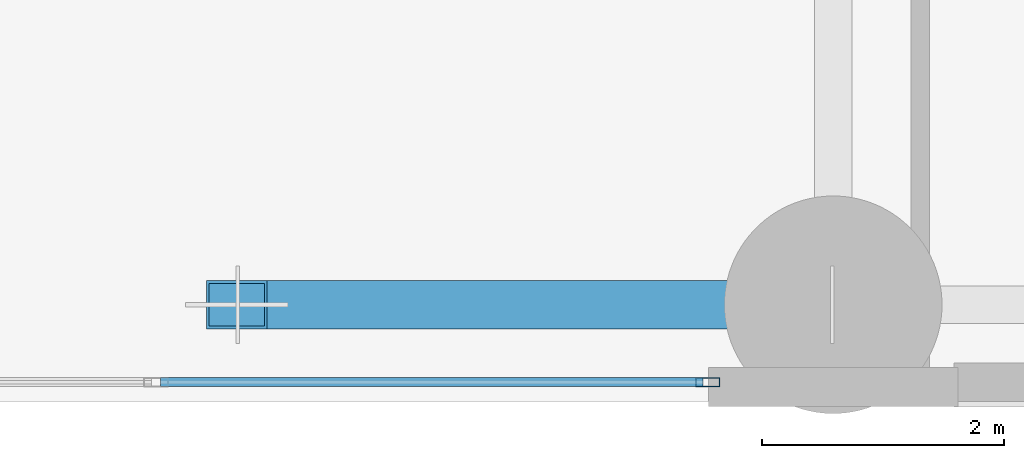
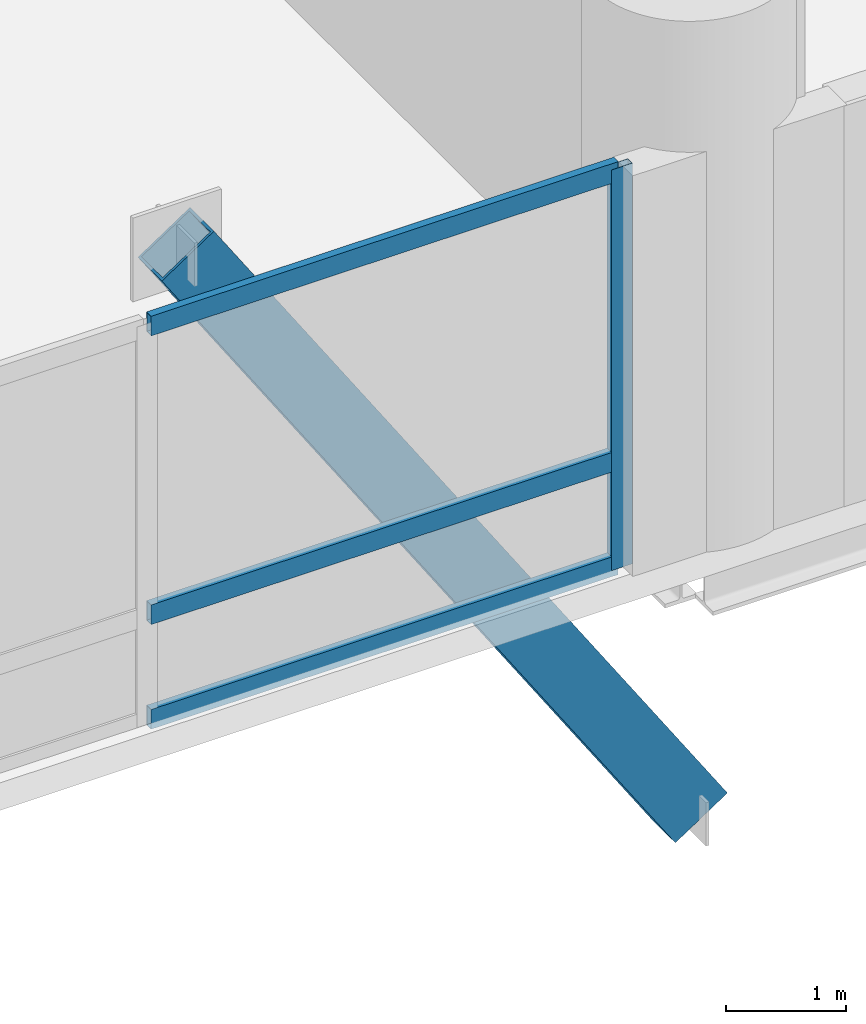
# One storey, part 13 of 40: 5 members, 1 element without a shape of its own.
"""IFC4 building model written with IfcOpenShell, lengths in metres."""

from ifc_helpers import new_model, si_unit, direction, frame, origin, origin_2d, place, context, subcontext, project, spatial, hollow_rectangle, extrude, material, layer, layer_set, material_profile, profile_set, type_object, element, aggregate, save


model = new_model("IFC4")

# Units and contexts
model_context = context("Model", 3, precision=1e-05, world=origin(), true_north=direction((0.0, 1.0)))
body_context = subcontext(model_context, "Body", "Model", "MODEL_VIEW")
ifc_project = project(units=[si_unit("LENGTHUNIT", "METRE"), si_unit("AREAUNIT", "SQUARE_METRE"), si_unit("VOLUMEUNIT", "CUBIC_METRE"), si_unit("PLANEANGLEUNIT", "RADIAN"), si_unit("MASSUNIT", "GRAM", prefix="KILO")], contexts=[model_context])

# Site, building, storey
site_placement = place(None, origin())
site = spatial("IfcSite", under=ifc_project, at=site_placement, CompositionType="ELEMENT")
building_placement = place(site_placement, origin())
building = spatial("IfcBuilding", under=site, at=building_placement, Name="Varnelok Gate Tower", CompositionType="ELEMENT")
storey_placement = place(building_placement, frame((0.0, 0.0, 5.39990234375)))
storey = spatial("IfcBuildingStorey", under=building, at=storey_placement, Name="L01", CompositionType="ELEMENT", Elevation=5.39990234375)

# Curtain wall, members
ifc_material_1 = material(Name="Anodized Aluminum Alloy 6063-T6", Category="aluminium")
ifc_layer = layer(ifc_material_1, 0.179931640625)
ifc_layer_set = layer_set([ifc_layer], Name="Anodized Aluminum Alloy 6063-T6")
curtain_wall_type = type_object("IfcCurtainWallType", Name="CW1-ARCH-PORTAL", PredefinedType="USERDEFINED", material=ifc_layer_set)
curtain_wall_placement = place(storey_placement, origin())
curtain_wall = element("IfcCurtainWall", 1, at=curtain_wall_placement, inside=storey, type_object=curtain_wall_type, Name="L01 Giant Arch Portal Glazed Curtain Wall", ObjectType="UNITISED CURTAIN WALL", PredefinedType="USERDEFINED")
ifc_material_profile_1 = material_profile(ifc_material_1, hollow_rectangle(XDim=0.074951171875, YDim=0.199951171875, WallThickness=0.00390625, at=origin_2d()), Name="ALU200X75X4")
ifc_profile_set_1 = profile_set([ifc_material_profile_1], Name="Anodized Aluminum Alloy 6063-T6")
member_type_1 = type_object("IfcMemberType", Name="CW-MULL-200", PredefinedType="MULLION", material=ifc_profile_set_1)
member_1_placement = place(storey_placement, frame((52.96240234375, 0.159912109375, 0.0), z_axis=(0.0, 0.0, 1.0), x_axis=(0.0, -1.0, 0.0)))
member_1 = element("IfcMember", 2, at=member_1_placement, type_object=member_type_1, Name="CW1 mullion 1", PredefinedType="MULLION", context=body_context, shape_type="SweptSolid", body=[
    extrude(hollow_rectangle(XDim=0.074951171875, YDim=0.199951171875, WallThickness=0.00390625, at=origin_2d()), origin(), (0.0, 0.0, 1.0), 4.070068359375),
])
ifc_material_profile_2 = material_profile(ifc_material_1, hollow_rectangle(XDim=0.074951171875, YDim=0.199951171875, WallThickness=0.00390625, at=origin_2d()), Name="ALU200X75X4")
ifc_profile_set_2 = profile_set([ifc_material_profile_2], Name="Anodized Aluminum Alloy 6063-T6")
member_type_2 = type_object("IfcMemberType", Name="CW-TRAN-200", PredefinedType="USERDEFINED", material=ifc_profile_set_2)
member_2_placement = place(storey_placement, frame((52.925048828125, 0.159912109375, 0.03759765625), z_axis=(-1.0, 0.0, 0.0), x_axis=(0.0, -1.0, 0.0)))
member_2 = element("IfcMember", 3, at=member_2_placement, type_object=member_type_2, Name="CW1 transom 1.1", ObjectType="TRANSOM", PredefinedType="USERDEFINED", context=body_context, shape_type="SweptSolid", body=[
    extrude(hollow_rectangle(XDim=0.074951171875, YDim=0.199951171875, WallThickness=0.00390625, at=origin_2d()), origin(), (0.0, 0.0, 1.0), 4.487548828125),
])
member_3_placement = place(storey_placement, frame((52.925048828125, 0.159912109375, 1.10009765625), z_axis=(-1.0, 0.0, 0.0), x_axis=(0.0, -1.0, 0.0)))
member_3 = element("IfcMember", 4, at=member_3_placement, type_object=member_type_2, Name="CW1 transom 1.2", ObjectType="TRANSOM", PredefinedType="USERDEFINED", context=body_context, shape_type="SweptSolid", body=[
    extrude(hollow_rectangle(XDim=0.074951171875, YDim=0.199951171875, WallThickness=0.00390625, at=origin_2d()), origin(), (0.0, 0.0, 1.0), 4.487548828125),
])
member_4_placement = place(storey_placement, frame((52.925048828125, 0.159912109375, 4.03271484375), z_axis=(-1.0, 0.0, 0.0), x_axis=(0.0, -1.0, 0.0)))
member_4 = element("IfcMember", 5, at=member_4_placement, type_object=member_type_2, Name="CW1 transom 1.3", ObjectType="TRANSOM", PredefinedType="USERDEFINED", context=body_context, shape_type="SweptSolid", body=[
    extrude(hollow_rectangle(XDim=0.074951171875, YDim=0.199951171875, WallThickness=0.00390625, at=origin_2d()), origin(), (0.0, 0.0, 1.0), 4.487548828125),
])
aggregate(curtain_wall, [member_1, member_2, member_3, member_4])

# Member
ifc_material_2 = material(Name="Structural Steel ASTM A572 Grade 50", Category="steel")
ifc_material_profile_3 = material_profile(ifc_material_2, hollow_rectangle(XDim=0.39990234375, YDim=0.60009765625, WallThickness=0.02490234375, at=origin_2d()), Name="HSS600X400X25")
ifc_profile_set_3 = profile_set([ifc_material_profile_3], Name="Structural Steel ASTM A572 Grade 50")
member_type_3 = type_object("IfcMemberType", Name="MEM-ARCH-CHORD", PredefinedType="CHORD", material=ifc_profile_set_3)
member_5_placement = place(storey_placement, frame((49.066650390625, 0.800048828125, 4.2333984375), z_axis=(0.552974977986, 0.0, -0.833197859888), x_axis=(0.0, 1.0, 0.0)))
element("IfcMember", 6, at=member_5_placement, inside=storey, type_object=member_type_3, Name="Giant Arch South Chord Rib 6", PredefinedType="CHORD", context=body_context, shape_type="SweptSolid", body=[
    extrude(hollow_rectangle(XDim=0.39990234375, YDim=0.60009765625, WallThickness=0.02490234375, at=origin_2d()), origin(), (0.0, 0.0, 1.0), 8.92138671875),
])

save(model, "model.ifc")
